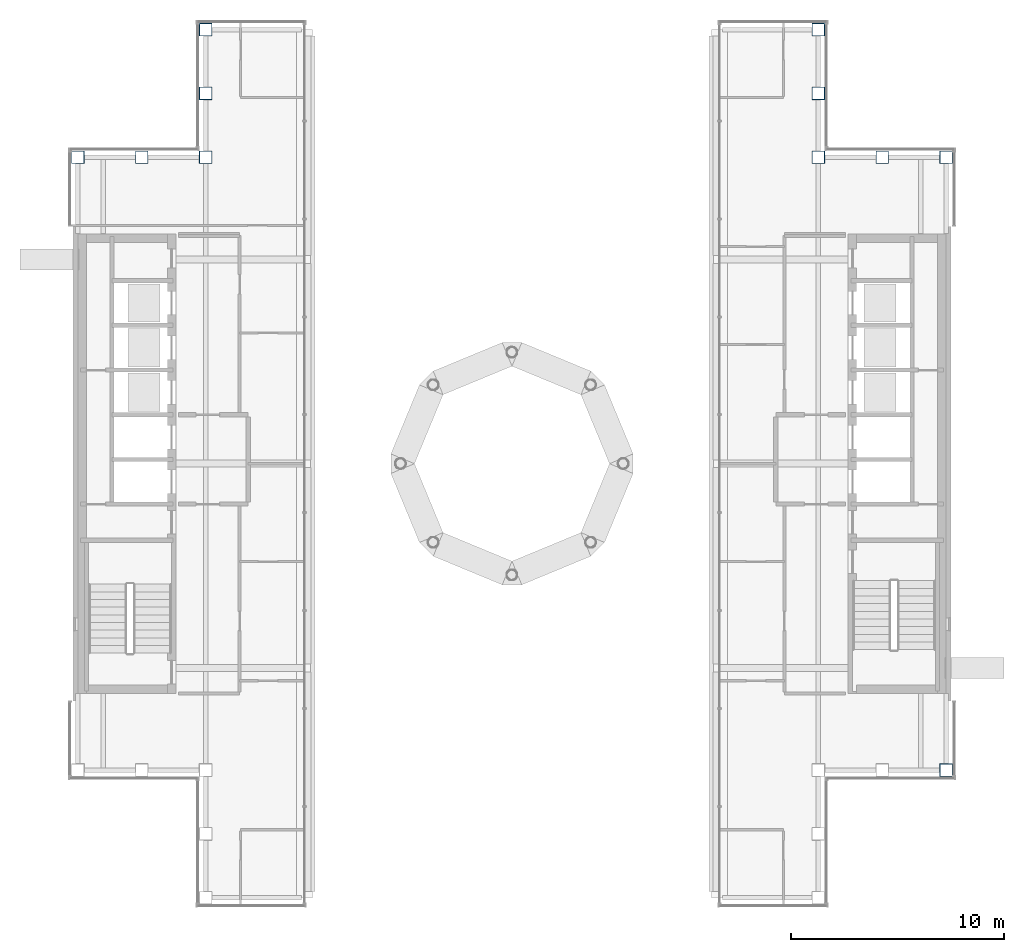
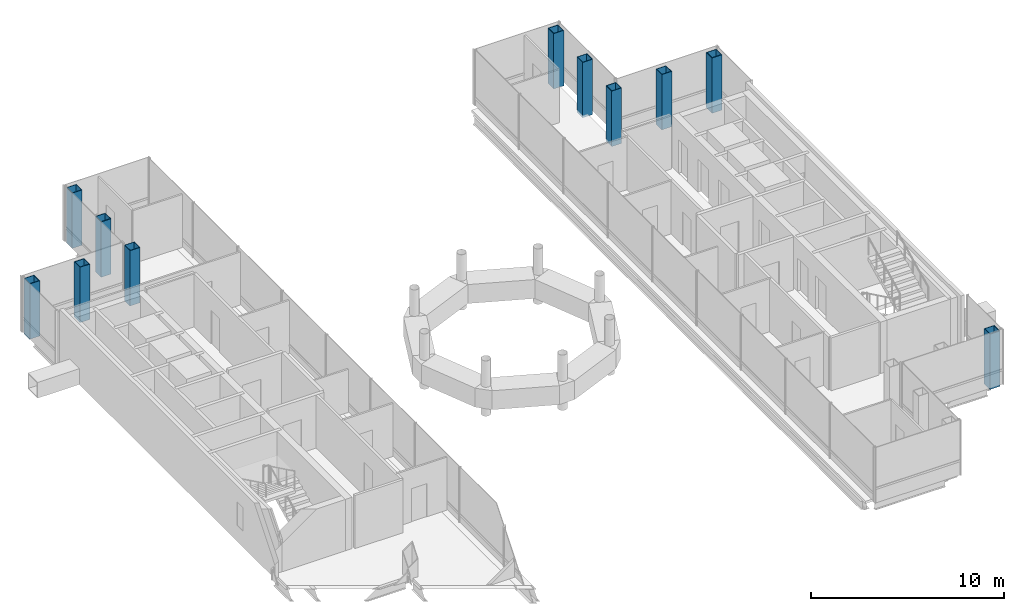
# One storey, part 2 of 21: 11 columns.
"""IFC4 building model written with IfcOpenShell, lengths in metres."""

from ifc_helpers import new_model, si_unit, direction, frame, origin, origin_2d, place, context, subcontext, project, spatial, hollow_rectangle, extrude, material, material_profile, profile_set, type_object, element, save


model = new_model("IFC4")

# Units and contexts
model_context = context("Model", 3, precision=1e-05, world=origin(), true_north=direction((0.0, 1.0)))
body_context = subcontext(model_context, "Body", "Model", "MODEL_VIEW")
ifc_project = project(units=[si_unit("LENGTHUNIT", "METRE"), si_unit("AREAUNIT", "SQUARE_METRE"), si_unit("VOLUMEUNIT", "CUBIC_METRE"), si_unit("PLANEANGLEUNIT", "RADIAN"), si_unit("MASSUNIT", "GRAM", prefix="KILO")], contexts=[model_context])

# Site, building, storey
site_placement = place(None, origin())
site = spatial("IfcSite", under=ifc_project, at=site_placement, CompositionType="ELEMENT")
building_placement = place(site_placement, origin())
building = spatial("IfcBuilding", under=site, at=building_placement, Name="Cobrizo Arcos Hotel Tower", CompositionType="ELEMENT")
storey_placement = place(building_placement, frame((0.0, 0.0, 279.5)))
storey = spatial("IfcBuildingStorey", under=building, at=storey_placement, Name="L74", CompositionType="ELEMENT", Elevation=279.5)

# Columns
ifc_material = material(Name="Steel ASTM A572 Grade 50", Category="steel")
ifc_material_profile = material_profile(ifc_material, hollow_rectangle(XDim=0.60009765625, YDim=0.60009765625, WallThickness=0.030029296875, at=origin_2d()), Name="BOX 600X600X30")
ifc_profile_set = profile_set([ifc_material_profile], Name="Steel ASTM A572 Grade 50")
column_type = type_object("IfcColumnType", Name="BOX 600X600X30 column", PredefinedType="COLUMN", material=ifc_profile_set)
for number, where, z_axis, x_axis, name in (
    (1, (-14.39990234375, 20.39990234375, -0.14990234375), (0.0, 0.0, 1.0), (1.0, 0.0, 0.0), "Perimeter column C12, L74, no. 00"),
    (2, (14.39990234375, 20.39990234375, -0.14990234375), (0.0, 0.0, 1.0), (1.0, 0.0, 0.0), "Perimeter column C12, L74, no. 02"),
    (3, (20.39990234375, -14.39990234375, -0.14990234375), (0.0, 0.0, 1.0), (1.0, 0.0, 0.0), "Perimeter column C12, L74, no. 04"),
    (4, (20.39990234375, 14.39990234375, -0.14990234375), (0.0, 0.0, 1.0), (1.0, 0.0, 0.0), "Perimeter column C12, L74, no. 06"),
    (5, (-20.39990234375, 14.39990234375, -0.14990234375), (0.0, 0.0, 1.0), (1.0, 0.0, 0.0), "Perimeter column C12, L74, no. 07"),
    (6, (-14.39990234375, 14.39990234375, -0.14990234375), (0.0, 0.0, 1.0), (1.0, 0.0, 0.0), "Perimeter column C12, L74, no. 11"),
    (7, (-14.39990234375, 17.39990234375, -0.14990234375), (0.0, 0.0, 1.0), (1.0, 0.0, 0.0), "Perimeter column C12, L74, no. 12"),
    (8, (-17.39990234375, 14.39990234375, -0.14990234375), (0.0, 0.0, 1.0), (1.0, 0.0, 0.0), "Perimeter column C12, L74, no. 13"),
    (9, (14.39990234375, 14.39990234375, -0.14990234375), (0.0, 0.0, 1.0), (1.0, 0.0, 0.0), "Perimeter column C12, L74, no. 17"),
    (10, (14.39990234375, 17.39990234375, -0.14990234375), (0.0, 0.0, 1.0), (1.0, 0.0, 0.0), "Perimeter column C12, L74, no. 18"),
    (11, (17.39990234375, 14.39990234375, -0.14990234375), (0.0, 0.0, 1.0), (1.0, 0.0, 0.0), "Perimeter column C12, L74, no. 19"),
):
    element("IfcColumn", number, at=place(storey_placement, frame(where, z_axis=z_axis, x_axis=x_axis)), inside=storey, type_object=column_type, Name=name, PredefinedType="COLUMN", context=body_context, shape_type="SweptSolid", body=[
        extrude(hollow_rectangle(XDim=0.60009765625, YDim=0.60009765625, WallThickness=0.030029296875, at=origin_2d()), origin(), (0.0, 0.0, 1.0), 3.5),
    ])

save(model, "model.ifc")
